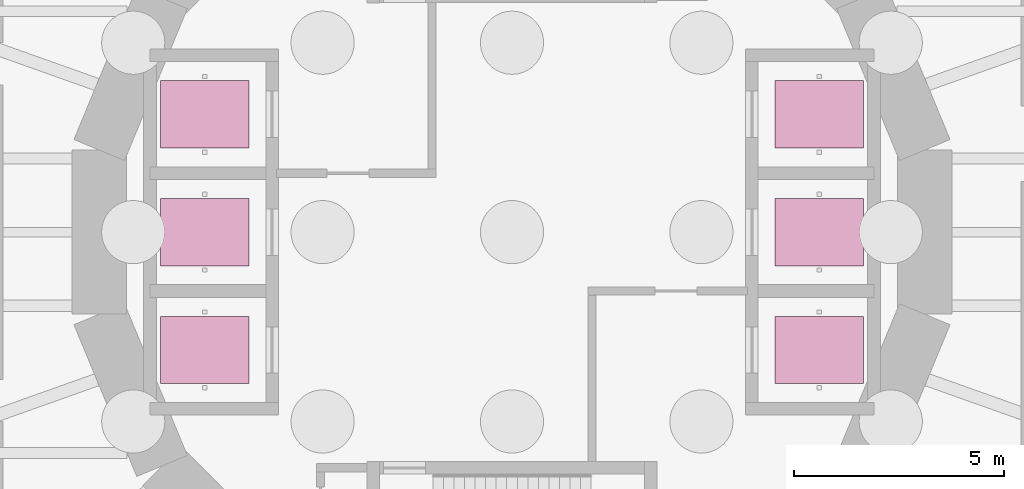
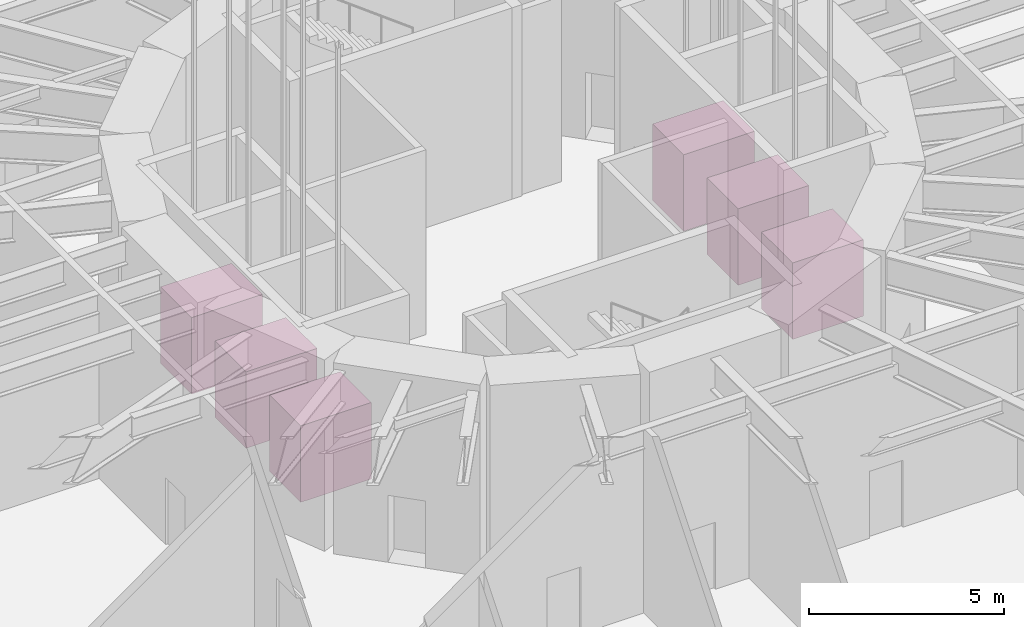
# One storey, part 31 of 43: 6 transport elements.
"""IFC4 building model written with IfcOpenShell, lengths in metres."""

from ifc_helpers import new_model, si_unit, direction, frame, origin, origin_2d, place, context, subcontext, project, spatial, rectangle, extrude, material, type_object, element, save


model = new_model("IFC4")

# Units and contexts
model_context = context("Model", 3, precision=1e-05, world=origin(), true_north=direction((0.0, 1.0)))
body_context = subcontext(model_context, "Body", "Model", "MODEL_VIEW")
ifc_project = project(units=[si_unit("LENGTHUNIT", "METRE"), si_unit("AREAUNIT", "SQUARE_METRE"), si_unit("VOLUMEUNIT", "CUBIC_METRE"), si_unit("PLANEANGLEUNIT", "RADIAN"), si_unit("MASSUNIT", "GRAM", prefix="KILO")], contexts=[model_context])

# Site, building, storey
site_placement = place(None, origin())
site = spatial("IfcSite", under=ifc_project, at=site_placement, CompositionType="ELEMENT")
building_placement = place(site_placement, origin())
building = spatial("IfcBuilding", under=site, at=building_placement, Name="Nakasero Lantern House", CompositionType="ELEMENT")
storey_placement = place(building_placement, origin())
storey = spatial("IfcBuildingStorey", under=building, at=storey_placement, Name="L00", CompositionType="ELEMENT", Elevation=0.0)

# Transport elements
ifc_material_1 = material(Name="Steel S355", Category="steel")
transport_element_type_1 = type_object("IfcTransportElementType", Name="Firefighting lift 1275 kg", PredefinedType="ELEVATOR", material=ifc_material_1)
for number, where, z_axis, x_axis, name in (
    (1, (7.300048828125, -2.800048828125, 0.0), (0.0, 0.0, 1.0), (1.0, 0.0, 0.0), "Firefighting lift FLE1"),
    (2, (-7.300048828125, 2.800048828125, 0.0), (0.0, 0.0, 1.0), (1.0, 0.0, 0.0), "Firefighting lift FLW3"),
):
    element("IfcTransportElement", number, at=place(storey_placement, frame(where, z_axis=z_axis, x_axis=x_axis)), inside=storey, type_object=transport_element_type_1, Name=name, PredefinedType="ELEVATOR", context=body_context, shape_type="SweptSolid", body=[
        extrude(rectangle(XDim=2.10009765625, YDim=1.60009765625, at=origin_2d()), origin(), (0.0, 0.0, 1.0), 2.39990234375),
    ])
ifc_material_2 = material(Name="Steel S355", Category="steel")
transport_element_type_2 = type_object("IfcTransportElementType", Name="Passenger lift 1000 kg", PredefinedType="ELEVATOR", material=ifc_material_2)
for number, where, z_axis, x_axis, name in (
    (3, (7.300048828125, 0.0, 0.0), (0.0, 0.0, 1.0), (1.0, 0.0, 0.0), "Passenger lift PLE2"),
    (4, (7.300048828125, 2.800048828125, 0.0), (0.0, 0.0, 1.0), (1.0, 0.0, 0.0), "Passenger lift PLE3"),
    (5, (-7.300048828125, -2.800048828125, 0.0), (0.0, 0.0, 1.0), (1.0, 0.0, 0.0), "Passenger lift PLW1"),
    (6, (-7.300048828125, 0.0, 0.0), (0.0, 0.0, 1.0), (1.0, 0.0, 0.0), "Passenger lift PLW2"),
):
    element("IfcTransportElement", number, at=place(storey_placement, frame(where, z_axis=z_axis, x_axis=x_axis)), inside=storey, type_object=transport_element_type_2, Name=name, PredefinedType="ELEVATOR", context=body_context, shape_type="SweptSolid", body=[
        extrude(rectangle(XDim=2.10009765625, YDim=1.60009765625, at=origin_2d()), origin(), (0.0, 0.0, 1.0), 2.39990234375),
    ])

save(model, "model.ifc")
